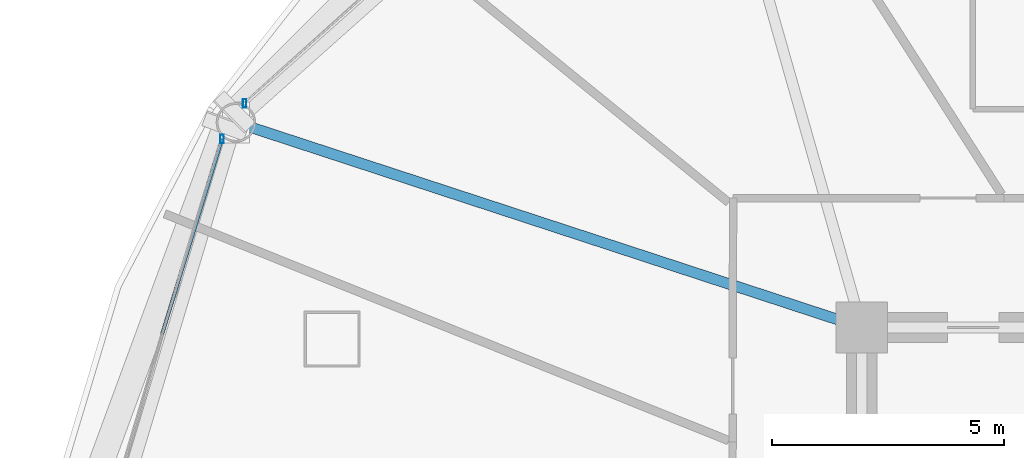
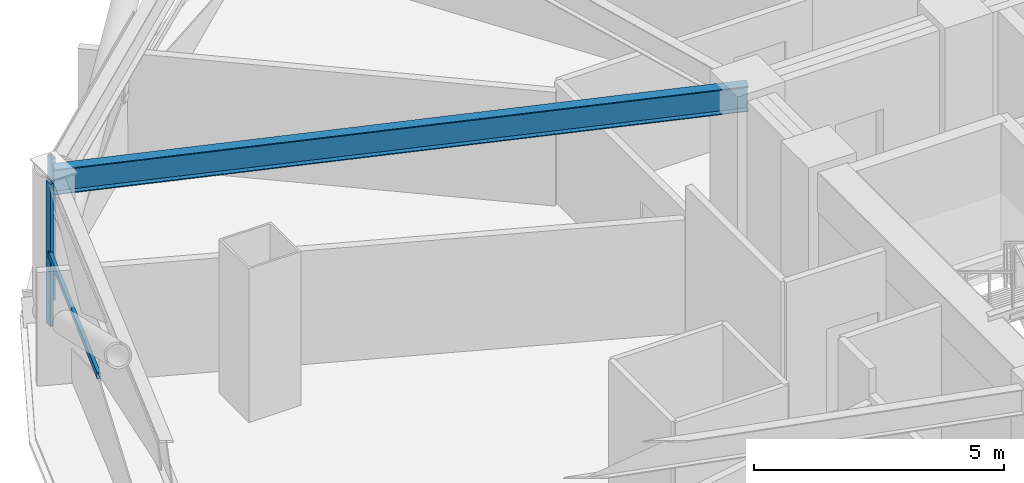
# One storey, part 15 of 30: 3 members, 1 beam, 2 elements without a shape of their own.
"""IFC4 building model written with IfcOpenShell, lengths in metres."""

from ifc_helpers import new_model, si_unit, direction, frame, origin, origin_2d, place, context, subcontext, project, spatial, hollow_rectangle, i_section, extrude, material, layer, layer_set, material_profile, profile_set, type_object, element, aggregate, save


model = new_model("IFC4")

# Units and contexts
model_context = context("Model", 3, precision=1e-05, world=origin(), true_north=direction((0.0, 1.0)))
body_context = subcontext(model_context, "Body", "Model", "MODEL_VIEW")
ifc_project = project(units=[si_unit("LENGTHUNIT", "METRE"), si_unit("AREAUNIT", "SQUARE_METRE"), si_unit("VOLUMEUNIT", "CUBIC_METRE"), si_unit("PLANEANGLEUNIT", "RADIAN"), si_unit("MASSUNIT", "GRAM", prefix="KILO")], contexts=[model_context])

# Site, building, storey
site_placement = place(None, origin())
site = spatial("IfcSite", under=ifc_project, at=site_placement, CompositionType="ELEMENT")
building_placement = place(site_placement, origin())
building = spatial("IfcBuilding", under=site, at=building_placement, Name="Vantalir Tower", CompositionType="ELEMENT")
storey_placement = place(building_placement, frame((0.0, 0.0, 49.5)))
storey = spatial("IfcBuildingStorey", under=building, at=storey_placement, Name="L11", CompositionType="ELEMENT", Elevation=49.5)

# Beam
ifc_material_1 = material(Name="Steel S355", Category="steel")
ifc_material_profile_1 = material_profile(ifc_material_1, i_section(OverallWidth=0.22998046875, OverallDepth=0.616943359375, WebThickness=0.01318359375, FlangeThickness=0.022216796875, at=origin_2d()), Name="Steel S355")
ifc_profile_set_1 = profile_set([ifc_material_profile_1], Name="Steel S355")
beam_type = type_object("IfcBeamType", Name="BM-RB-610x229", PredefinedType="BEAM", material=ifc_profile_set_1)
beam_placement = place(storey_placement, frame((8.429931640625, 36.863037109375, 3.261962890625), z_axis=(0.950298396934, -0.311340580048, 0.0), x_axis=(0.311340580048, 0.950298396934, 0.0)))
element("IfcBeam", 1, at=beam_placement, inside=storey, type_object=beam_type, Name="L11 Radial Floor Beam 06", PredefinedType="BEAM", context=body_context, shape_type="SweptSolid", body=[
    extrude(i_section(OverallWidth=0.22998046875, OverallDepth=0.616943359375, WebThickness=0.01318359375, FlangeThickness=0.022216796875, at=origin_2d()), origin(), (0.0, 0.0, 1.0), 14.174560546875),
])

# Curtain wall, member
ifc_material_2 = material(Name="Champagne-silver PVDF aluminium and double-silver Low-E glass", Category="aluminium")
ifc_layer = layer(ifc_material_2, 0.18994140625)
ifc_layer_set = layer_set([ifc_layer], Name="Champagne-silver PVDF aluminium and double-silver Low-E glass")
curtain_wall_type = type_object("IfcCurtainWallType", Name="CW-DIAMOND-Z1", PredefinedType="USERDEFINED", material=ifc_layer_set)
curtain_wall_1_placement = place(storey_placement, origin())
curtain_wall_1 = element("IfcCurtainWall", 2, at=curtain_wall_1_placement, inside=storey, type_object=curtain_wall_type, Name="L11 Quilted Pyramid-Diamond Curtain Wall S05", ObjectType="UNITISED CURTAIN WALL", PredefinedType="USERDEFINED")
ifc_material_3 = material(Name="Champagne-silver PVDF aluminium 6063-T6", Category="aluminium")
ifc_material_profile_2 = material_profile(ifc_material_3, hollow_rectangle(XDim=0.074951171875, YDim=0.179931640625, WallThickness=0.00390625, at=origin_2d()), Name="Champagne-silver PVDF aluminium 6063-T6")
ifc_profile_set_2 = profile_set([ifc_material_profile_2], Name="Champagne-silver PVDF aluminium 6063-T6")
member_type_1 = type_object("IfcMemberType", Name="CWM-180x75", PredefinedType="MULLION", material=ifc_profile_set_2)
member_1_placement = place(storey_placement, frame((8.615966796875, 37.27099609375, 0.044921875), z_axis=(0.0, 0.0, 1.0), x_axis=(1.0, 0.0, 0.0)))
member_1 = element("IfcMember", 3, at=member_1_placement, type_object=member_type_1, Name="CW-L11-S05 Mullion 2", PredefinedType="MULLION", context=body_context, shape_type="SweptSolid", body=[
    extrude(hollow_rectangle(XDim=0.074951171875, YDim=0.179931640625, WallThickness=0.00390625, at=origin_2d()), origin(), (0.0, 0.0, 1.0), 3.47998046875),
])
aggregate(curtain_wall_1, [member_1])

# Curtain wall, members
curtain_wall_2_placement = place(storey_placement, origin())
curtain_wall_2 = element("IfcCurtainWall", 4, at=curtain_wall_2_placement, inside=storey, type_object=curtain_wall_type, Name="L11 Quilted Pyramid-Diamond Curtain Wall S06", ObjectType="UNITISED CURTAIN WALL", PredefinedType="USERDEFINED")
member_2_placement = place(storey_placement, frame((8.1298828125, 36.508056640625, 0.044921875), z_axis=(0.0, 0.0, 1.0), x_axis=(1.0, 0.0, 0.0)))
member_2 = element("IfcMember", 5, at=member_2_placement, type_object=member_type_1, Name="CW-L11-S06 Mullion 1", PredefinedType="MULLION", context=body_context, shape_type="SweptSolid", body=[
    extrude(hollow_rectangle(XDim=0.074951171875, YDim=0.179931640625, WallThickness=0.00390625, at=origin_2d()), origin(), (0.0, 0.0, 1.0), 3.47998046875),
])
ifc_material_profile_3 = material_profile(ifc_material_3, hollow_rectangle(XDim=0.074951171875, YDim=0.159912109375, WallThickness=0.00390625, at=origin_2d()), Name="Champagne-silver PVDF aluminium 6063-T6")
ifc_profile_set_3 = profile_set([ifc_material_profile_3], Name="Champagne-silver PVDF aluminium 6063-T6")
member_type_2 = type_object("IfcMemberType", Name="CWT-160x75", PredefinedType="USERDEFINED", material=ifc_profile_set_3)
member_3_placement = place(storey_placement, frame((8.1298828125, 36.508056640625, 1.784912109375), z_axis=(-0.293065181142, -0.95609246394, 0.0), x_axis=(0.95609246394, -0.293065181142, 0.0)))
member_3 = element("IfcMember", 6, at=member_3_placement, type_object=member_type_2, Name="CW-L11-S06 Pyramid Fold Ridge Transom", ObjectType="TRANSOM", PredefinedType="USERDEFINED", context=body_context, shape_type="SweptSolid", body=[
    extrude(hollow_rectangle(XDim=0.074951171875, YDim=0.159912109375, WallThickness=0.00390625, at=origin_2d()), origin(), (0.0, 0.0, 1.0), 4.3876953125),
])
aggregate(curtain_wall_2, [member_2, member_3])

save(model, "model.ifc")
